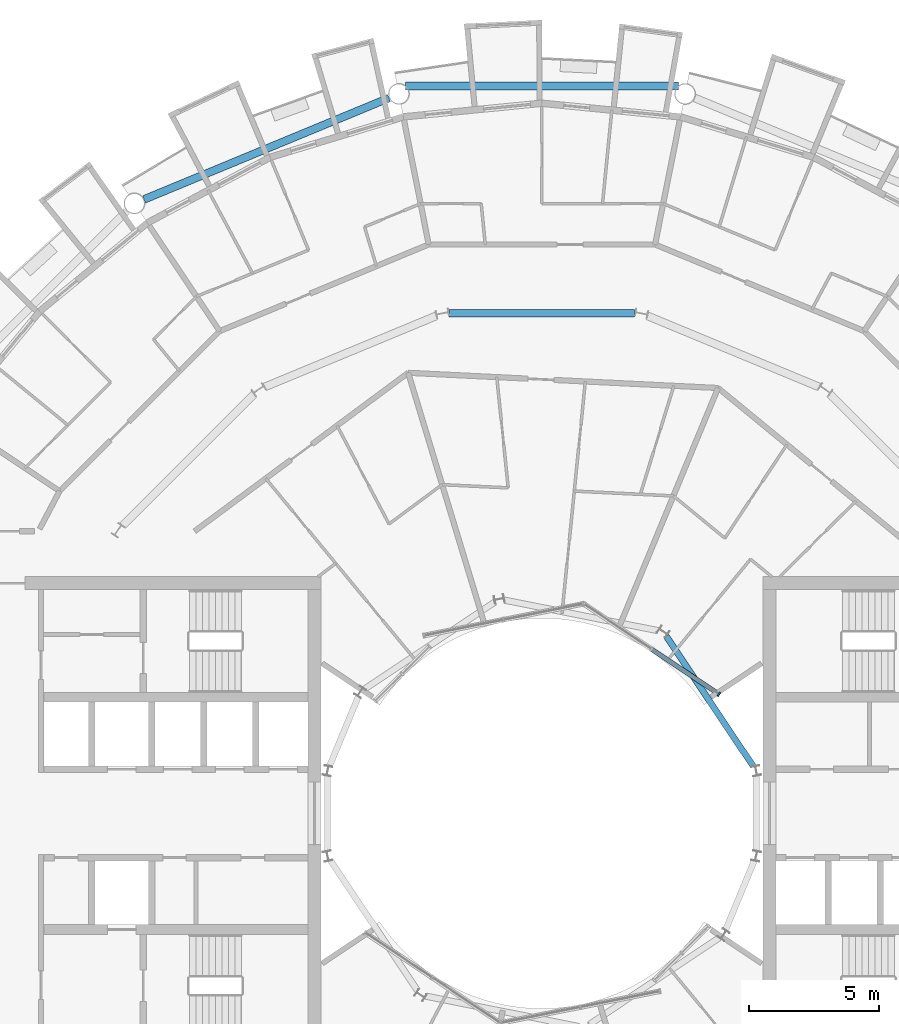
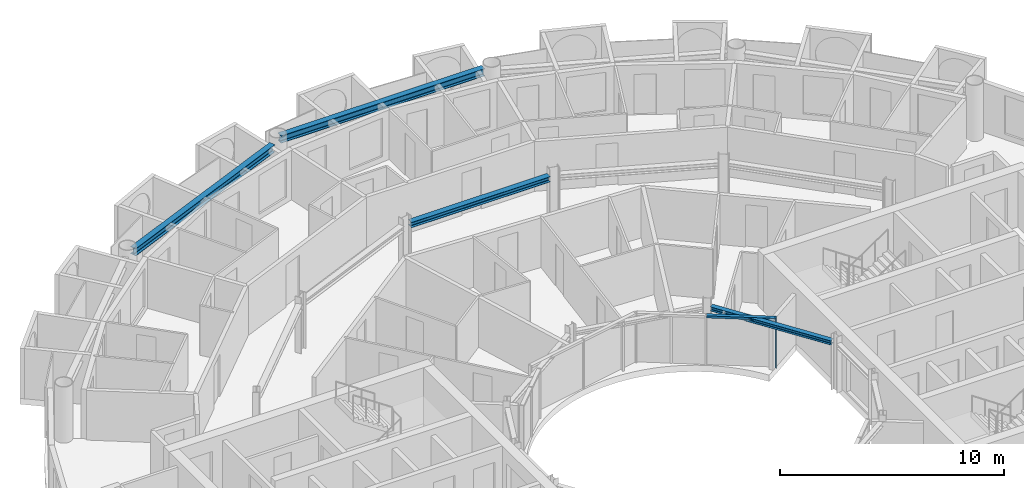
# One storey, part 9 of 27: 4 beams, 2 members, 1 element without a shape of its own.
"""IFC4 building model written with IfcOpenShell, lengths in metres."""

from ifc_helpers import new_model, si_unit, direction, frame, origin, origin_2d, place, context, subcontext, project, spatial, rectangle, i_section, extrude, material, layer, layer_set, material_profile, profile_set, type_object, element, aggregate, save


model = new_model("IFC4")

# Units and contexts
model_context = context("Model", 3, precision=1e-05, world=origin(), true_north=direction((0.0, 1.0)))
body_context = subcontext(model_context, "Body", "Model", "MODEL_VIEW")
ifc_project = project(units=[si_unit("LENGTHUNIT", "METRE"), si_unit("AREAUNIT", "SQUARE_METRE"), si_unit("VOLUMEUNIT", "CUBIC_METRE"), si_unit("PLANEANGLEUNIT", "RADIAN"), si_unit("MASSUNIT", "GRAM", prefix="KILO")], contexts=[model_context])

# Site, building, storey
site_placement = place(None, origin())
site = spatial("IfcSite", under=ifc_project, at=site_placement, CompositionType="ELEMENT")
building_placement = place(site_placement, origin())
building = spatial("IfcBuilding", under=site, at=building_placement, Name="Maasbend Ring Residences", CompositionType="ELEMENT")
storey_placement = place(building_placement, frame((0.0, 0.0, 167.699951171875)))
storey = spatial("IfcBuildingStorey", under=building, at=storey_placement, Name="L48", CompositionType="ELEMENT", Elevation=167.699951171875)

# Curtain wall, members
ifc_material_1 = material(Name="Aluminium and clear glass", Category="aluminium")
ifc_layer = layer(ifc_material_1, 0.179931640625)
ifc_layer_set = layer_set([ifc_layer], Name="CW-W")
curtain_wall_type = type_object("IfcCurtainWallType", Name="CW-W", PredefinedType="NOTDEFINED", material=ifc_layer_set)
curtain_wall_placement = place(storey_placement, origin())
curtain_wall = element("IfcCurtainWall", 1, at=curtain_wall_placement, inside=storey, type_object=curtain_wall_type, Name="Well curtain wall N1", PredefinedType="NOTDEFINED")
ifc_material_2 = material(Name="Aluminium 6063-T6", Category="aluminium")
ifc_material_profile_1 = material_profile(ifc_material_2, rectangle(XDim=0.179931640625, YDim=0.06005859375, at=origin_2d()), Name="AL 180x60")
ifc_profile_set_1 = profile_set([ifc_material_profile_1], Name="Aluminium 6063-T6")
member_type_1 = type_object("IfcMemberType", Name="CWM-W", PredefinedType="MULLION", material=ifc_profile_set_1)
member_1_placement = place(storey_placement, frame((6.805908203125, 4.580810546875, 0.0), z_axis=(0.0, 0.0, 1.0), x_axis=(-0.55557023302, -0.831469612303, 0.0)))
member_1 = element("IfcMember", 2, at=member_1_placement, type_object=member_type_1, Name="Mullion well face", PredefinedType="MULLION", context=body_context, shape_type="SweptSolid", body=[
    extrude(rectangle(XDim=0.179931640625, YDim=0.06005859375, at=origin_2d()), origin(), (0.0, 0.0, 1.0), 2.699951171875),
])
ifc_material_3 = material(Name="Aluminium 6063-T6", Category="aluminium")
ifc_material_profile_2 = material_profile(ifc_material_3, rectangle(XDim=0.179931640625, YDim=0.1201171875, at=origin_2d()), Name="AL 180x120")
ifc_profile_set_2 = profile_set([ifc_material_profile_2], Name="Aluminium 6063-T6")
member_type_2 = type_object("IfcMemberType", Name="CWT-W", PredefinedType="USERDEFINED", material=ifc_profile_set_2)
member_2_placement = place(storey_placement, frame((6.781005859375, 4.59765625, 2.64013671875), z_axis=(-0.831496422459, 0.555530106689, 0.0), x_axis=(-0.555530106689, -0.831496422459, 0.0)))
member_2 = element("IfcMember", 3, at=member_2_placement, type_object=member_type_2, Name="Transom well face", ObjectType="TRANSOM", PredefinedType="USERDEFINED", context=body_context, shape_type="SweptSolid", body=[
    extrude(rectangle(XDim=0.179931640625, YDim=0.1201171875, at=origin_2d()), origin(), (0.0, 0.0, 1.0), 3.053955078125),
])
aggregate(curtain_wall, [member_1, member_2])

# Beams
ifc_material_4 = material(Name="Steel S355J2", Category="steel")
ifc_material_profile_3 = material_profile(ifc_material_4, i_section(OverallWidth=0.300048828125, OverallDepth=0.2900390625, WebThickness=0.008544921875, FlangeThickness=0.013916015625, FilletRadius=0.027099609375, at=origin_2d()), Name="HEA 300")
ifc_profile_set_3 = profile_set([ifc_material_profile_3], Name="Steel S355J2")
beam_type_1 = type_object("IfcBeamType", Name="Corridor ring beam HEA 300", PredefinedType="BEAM", material=ifc_profile_set_3)
beam_1_placement = place(storey_placement, frame((3.56884765625, 19.223388671875, 2.554931640625), z_axis=(-1.0, 0.0, 0.0), x_axis=(0.0, -1.0, 0.0)))
element("IfcBeam", 4, at=beam_1_placement, inside=storey, type_object=beam_type_1, Name="Corridor ring beam", PredefinedType="BEAM", context=body_context, shape_type="SweptSolid", body=[
    extrude(i_section(OverallWidth=0.300048828125, OverallDepth=0.2900390625, WebThickness=0.008544921875, FlangeThickness=0.013916015625, FilletRadius=0.027099609375, at=origin_2d()), origin(), (0.0, 0.0, 1.0), 7.1376953125),
])
ifc_material_5 = material(Name="Steel S355J2", Category="steel")
ifc_material_profile_4 = material_profile(ifc_material_5, i_section(OverallWidth=0.300048828125, OverallDepth=0.39990234375, WebThickness=0.013427734375, FlangeThickness=0.02392578125, FilletRadius=0.027099609375, at=origin_2d()), Name="HEB 400")
ifc_profile_set_4 = profile_set([ifc_material_profile_4], Name="Steel S355J2")
beam_type_2 = type_object("IfcBeamType", Name="Spandrel ring beam HEB 400", PredefinedType="SPANDREL", material=ifc_profile_set_4)
beam_2_placement = place(storey_placement, frame((5.2451171875, 27.9580078125, 2.5), z_axis=(-1.0, 0.0, 0.0), x_axis=(0.0, -1.0, 0.0)))
element("IfcBeam", 5, at=beam_2_placement, inside=storey, type_object=beam_type_2, Name="Spandrel ring beam", PredefinedType="SPANDREL", context=body_context, shape_type="SweptSolid", body=[
    extrude(i_section(OverallWidth=0.300048828125, OverallDepth=0.39990234375, WebThickness=0.013427734375, FlangeThickness=0.02392578125, FilletRadius=0.027099609375, at=origin_2d()), origin(), (0.0, 0.0, 1.0), 10.490234375),
])
beam_3_placement = place(storey_placement, frame((-5.877197265625, 27.50244140625, 2.5), z_axis=(-0.923883676188, -0.382673428492, 0.0), x_axis=(0.382673428492, -0.923883676188, 0.0)))
element("IfcBeam", 6, at=beam_3_placement, inside=storey, type_object=beam_type_2, Name="Spandrel ring beam", PredefinedType="SPANDREL", context=body_context, shape_type="SweptSolid", body=[
    extrude(i_section(OverallWidth=0.300048828125, OverallDepth=0.39990234375, WebThickness=0.013427734375, FlangeThickness=0.02392578125, FilletRadius=0.027099609375, at=origin_2d()), origin(), (0.0, 0.0, 1.0), 10.18994140625),
])
ifc_material_6 = material(Name="Steel S355J2", Category="steel")
ifc_material_profile_5 = material_profile(ifc_material_6, i_section(OverallWidth=0.239990234375, OverallDepth=0.22998046875, WebThickness=0.007568359375, FlangeThickness=0.011962890625, FilletRadius=0.02099609375, at=origin_2d()), Name="HEA 240")
ifc_profile_set_5 = profile_set([ifc_material_profile_5], Name="Steel S355J2")
beam_type_3 = type_object("IfcBeamType", Name="Well edge beam HEA 240", PredefinedType="BEAM", material=ifc_profile_set_5)
beam_4_placement = place(storey_placement, frame((8.121337890625, 1.814208984375, 2.5849609375), z_axis=(-0.555553413909, 0.831480850227, 0.0), x_axis=(-0.831480850227, -0.555553413909, 0.0)))
element("IfcBeam", 7, at=beam_4_placement, inside=storey, type_object=beam_type_3, Name="Well edge beam", PredefinedType="BEAM", context=body_context, shape_type="SweptSolid", body=[
    extrude(i_section(OverallWidth=0.239990234375, OverallDepth=0.22998046875, WebThickness=0.007568359375, FlangeThickness=0.011962890625, FilletRadius=0.02099609375, at=origin_2d()), origin(), (0.0, 0.0, 1.0), 6.0068359375),
])

save(model, "model.ifc")
